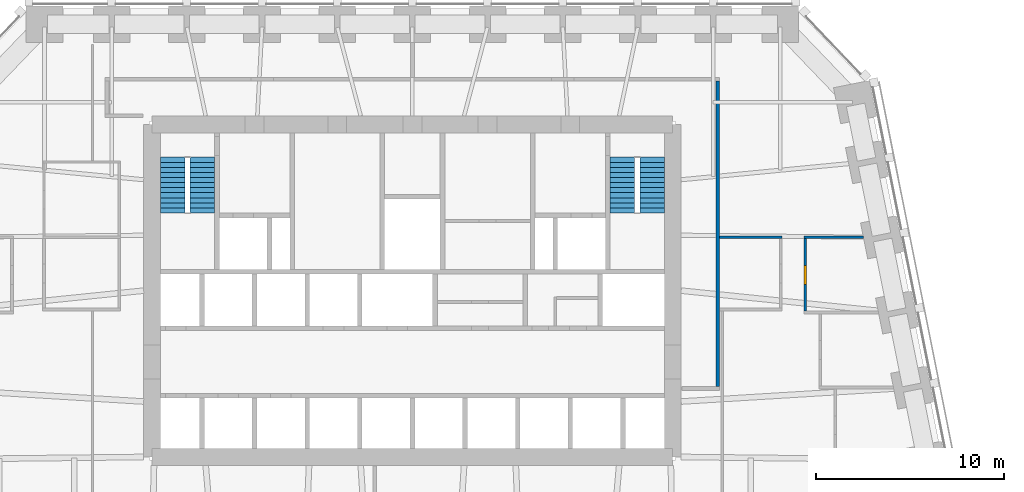
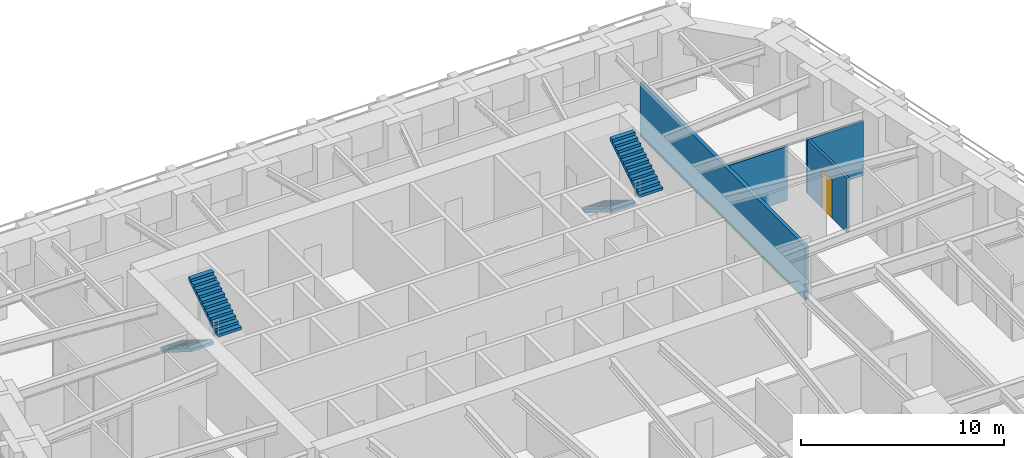
# One storey, part 8 of 10: 4 stair flights, 4 walls, 1 door, 1 opening, 2 elements without a shape of their own.
"""IFC4 building model written with IfcOpenShell, lengths in metres."""

from ifc_helpers import new_model, si_unit, direction, frame, frame_2d, origin, place, context, subcontext, project, spatial, polyline, rectangle, outline, extrude, material, layer, layer_set, type_object, element, fill, aggregate, save


model = new_model("IFC4")

# Units and contexts
model_context = context("Model", 3, precision=1e-05, world=origin(), true_north=direction((0.0, 1.0)))
body_context = subcontext(model_context, "Body", "Model", "MODEL_VIEW")
ifc_project = project(units=[si_unit("LENGTHUNIT", "METRE"), si_unit("AREAUNIT", "SQUARE_METRE"), si_unit("VOLUMEUNIT", "CUBIC_METRE"), si_unit("PLANEANGLEUNIT", "RADIAN"), si_unit("MASSUNIT", "GRAM", prefix="KILO")], contexts=[model_context])

# Site, building, storey
site_placement = place(None, origin())
site = spatial("IfcSite", under=ifc_project, at=site_placement, CompositionType="ELEMENT")
building_placement = place(site_placement, origin())
building = spatial("IfcBuilding", under=site, at=building_placement, Name="Isbrekke Arena Tower", CompositionType="ELEMENT")
storey_placement = place(building_placement, frame((0.0, 0.0, 64.0)))
storey = spatial("IfcBuildingStorey", under=building, at=storey_placement, Name="L13", CompositionType="ELEMENT", Elevation=64.0)

# Walls
ifc_material_1 = material(Name="Gypsum board partition on steel studs", Category="steel")
ifc_layer_1 = layer(ifc_material_1, 0.14990234375)
ifc_layer_set_1 = layer_set([ifc_layer_1], Name="IW1 PARTITION 150")
wall_type_1 = type_object("IfcWallType", Name="IW1 PARTITION 150", PredefinedType="PARTITIONING", material=ifc_layer_set_1)
wall_1_placement = place(storey_placement, frame((16.35009765625, 17.840087890625, 0.0), z_axis=(0.0, 0.0, 1.0), x_axis=(1.0, 0.0, 0.0)))
element("IfcWall", 1, at=wall_1_placement, inside=storey, type_object=wall_type_1, Name="IW1 partition 150 L13", PredefinedType="PARTITIONING", context=body_context, shape_type="SweptSolid", body=[
    extrude(rectangle(XDim=3.324951171875, YDim=0.14990234375, at=frame_2d((1.66259765625, 0.0))), origin(), (0.0, 0.0, 1.0), 3.25),
])
wall_2_placement = place(storey_placement, frame((20.824951171875, 17.840087890625, 0.0), z_axis=(0.0, 0.0, 1.0), x_axis=(1.0, 0.0, 0.0)))
element("IfcWall", 2, at=wall_2_placement, inside=storey, type_object=wall_type_1, Name="IW1 partition 150 L13", PredefinedType="PARTITIONING", context=body_context, shape_type="SweptSolid", body=[
    extrude(rectangle(XDim=3.17138671875, YDim=0.14990234375, at=frame_2d((1.585693359375, 0.0))), origin(), (0.0, 0.0, 1.0), 3.25),
])

# Wall, opening, door
wall_3_placement = place(storey_placement, frame((20.89990234375, 13.9150390625, 0.0), z_axis=(0.0, 0.0, 1.0), x_axis=(0.0, 1.0, 0.0)))
wall_3 = element("IfcWall", 3, at=wall_3_placement, inside=storey, type_object=wall_type_1, Name="IW1 partition 150 L13", PredefinedType="PARTITIONING", context=body_context, shape_type="SweptSolid", body=[
    extrude(rectangle(XDim=3.849853515625, YDim=0.14990234375, at=frame_2d((1.9248046875, 0.0))), origin(), (0.0, 0.0, 1.0), 3.25),
])
opening_placement = place(wall_3_placement, frame((1.425048828125, 0.0, 0.0)))
opening = element("IfcOpeningElement", 4, at=opening_placement, cuts=wall_3, Name="Opening D10", PredefinedType="OPENING", context=body_context, shape_type="SweptSolid", body=[
    extrude(rectangle(XDim=1.0, YDim=2.300048828125, at=frame_2d((0.5, 1.14990234375))), frame((0.0, 0.08984375, 0.0), z_axis=(0.0, -1.0, 0.0), x_axis=(1.0, 0.0, 0.0)), (0.0, 0.0, 1.0), 0.1796875),
])
ifc_material_2 = material(Name="Timber door", Category="wood")
door_type = type_object("IfcDoorType", Name="D10 OFFICE DOOR 1000 x 2300", OperationType="SINGLE_SWING_LEFT", PredefinedType="DOOR", material=ifc_material_2)
door_placement = place(opening_placement, origin())
door = element("IfcDoor", 5, at=door_placement, inside=storey, type_object=door_type, Name="D10 office door L13", OperationType="SINGLE_SWING_LEFT", OverallHeight=2.300048828125, OverallWidth=1.0, PredefinedType="DOOR", context=body_context, shape_type="SweptSolid", body=[
    extrude(rectangle(XDim=1.0, YDim=2.300048828125, at=frame_2d((0.5, 1.14990234375))), frame((0.0, 0.07470703125, 0.0), z_axis=(0.0, -1.0, 0.0), x_axis=(1.0, 0.0, 0.0)), (0.0, 0.0, 1.0), 0.1494140625),
])
fill(opening, door)

# Wall
ifc_material_3 = material(Name="Gypsum board fire-cell wall on steel studs, two layers each side", Category="steel")
ifc_layer_2 = layer(ifc_material_3, 0.199951171875)
ifc_layer_set_2 = layer_set([ifc_layer_2], Name="IW3 FIRE-CELL WALL 200")
wall_type_2 = type_object("IfcWallType", Name="IW3 FIRE-CELL WALL 200", PredefinedType="PARTITIONING", material=ifc_layer_set_2)
wall_4_placement = place(storey_placement, frame((16.25, 9.89990234375, 0.0), z_axis=(0.0, 0.0, 1.0), x_axis=(0.0, 1.0, 0.0)))
element("IfcWall", 6, at=wall_4_placement, inside=storey, type_object=wall_type_2, Name="IW3 fire-cell wall 200 L13", PredefinedType="PARTITIONING", context=body_context, shape_type="SweptSolid", body=[
    extrude(rectangle(XDim=16.25, YDim=0.199951171875, at=frame_2d((8.125, 0.0))), origin(), (0.0, 0.0, 1.0), 3.25),
])

# Stair, stair flights
ifc_material_4 = material(Name="Concrete B45 (C45/55) precast", Category="concrete")
stair_type = type_object("IfcStairType", Name="ST40 STAIR 1300 WIDE, 24 RISERS 167", PredefinedType="HALF_TURN_STAIR", material=ifc_material_4)
stair_1_placement = place(storey_placement, origin())
stair_1 = element("IfcStair", 7, at=stair_1_placement, inside=storey, type_object=stair_type, Name="ST1 stair L13", PredefinedType="HALF_TURN_STAIR")
ifc_material_5 = material(Name="Concrete B45 (C45/55) precast", Category="concrete")
stair_flight_type = type_object("IfcStairFlightType", Name="SF 1300 FLIGHT", PredefinedType="STRAIGHT", material=ifc_material_5)
stair_flight_1_placement = place(storey_placement, frame((-12.75, 22.10009765625, 0.0), z_axis=(0.0, 0.0, 1.0), x_axis=(0.0, -1.0, 0.0)))
stair_flight_1 = element("IfcStairFlight", 8, at=stair_flight_1_placement, type_object=stair_flight_type, Name="ST1 flight 1", NumberOfRisers=12, NumberOfTreads=11, PredefinedType="STRAIGHT", RiserHeight=0.166666667, TreadLength=0.27, context=body_context, shape_type="SweptSolid", body=[
    extrude(outline(polyline([(0.0, 0.0), (0.0, 0.166748046875), (0.27001953125, 0.166748046875), (0.27001953125, 0.333251953125), (0.5400390625, 0.333251953125), (0.5400390625, 0.5), (0.81005859375, 0.5), (0.81005859375, 0.666748046875), (1.080078125, 0.666748046875), (1.080078125, 0.833251953125), (1.35009765625, 0.833251953125), (1.35009765625, 1.0), (1.6201171875, 1.0), (1.6201171875, 1.166748046875), (1.889892578125, 1.166748046875), (1.889892578125, 1.333251953125), (2.159912109375, 1.333251953125), (2.159912109375, 1.5), (2.429931640625, 1.5), (2.429931640625, 1.666748046875), (2.699951171875, 1.666748046875), (2.699951171875, 1.833251953125), (2.969970703125, 1.833251953125), (2.969970703125, 2.0), (2.969970703125, 1.6572265625), (0.285400390625, 0.0), (0.0, 0.0)])), frame((0.0, 0.64990234375, 0.0), z_axis=(0.0, -1.0, 0.0), x_axis=(1.0, 0.0, 0.0)), (0.0, 0.0, 1.0), 1.300048828125),
])
stair_flight_2_placement = place(storey_placement, frame((-11.175048828125, 19.1298828125, 2.0), z_axis=(0.0, 0.0, 1.0), x_axis=(0.0, 1.0, 0.0)))
stair_flight_2 = element("IfcStairFlight", 9, at=stair_flight_2_placement, type_object=stair_flight_type, Name="ST1 flight 2", NumberOfRisers=12, NumberOfTreads=11, PredefinedType="STRAIGHT", RiserHeight=0.166666667, TreadLength=0.27, context=body_context, shape_type="SweptSolid", body=[
    extrude(outline(polyline([(0.0, 0.0), (0.0, 0.166748046875), (0.27001953125, 0.166748046875), (0.27001953125, 0.333251953125), (0.5400390625, 0.333251953125), (0.5400390625, 0.5), (0.81005859375, 0.5), (0.81005859375, 0.666748046875), (1.080078125, 0.666748046875), (1.080078125, 0.833251953125), (1.35009765625, 0.833251953125), (1.35009765625, 1.0), (1.6201171875, 1.0), (1.6201171875, 1.166748046875), (1.889892578125, 1.166748046875), (1.889892578125, 1.333251953125), (2.159912109375, 1.333251953125), (2.159912109375, 1.5), (2.429931640625, 1.5), (2.429931640625, 1.666748046875), (2.699951171875, 1.666748046875), (2.699951171875, 1.833251953125), (2.969970703125, 1.833251953125), (2.969970703125, 2.0), (2.969970703125, 1.6572265625), (0.285400390625, 0.0), (0.0, 0.0)])), frame((0.0, 0.64990234375, 0.0), z_axis=(0.0, -1.0, 0.0), x_axis=(1.0, 0.0, 0.0)), (0.0, 0.0, 1.0), 1.300048828125),
])
aggregate(stair_1, [stair_flight_1, stair_flight_2])

stair_2_placement = place(storey_placement, origin())
stair_2 = element("IfcStair", 10, at=stair_2_placement, inside=storey, type_object=stair_type, Name="ST2 stair L13", PredefinedType="HALF_TURN_STAIR")
stair_flight_3_placement = place(storey_placement, frame((11.175048828125, 22.10009765625, 0.0), z_axis=(0.0, 0.0, 1.0), x_axis=(0.0, -1.0, 0.0)))
stair_flight_3 = element("IfcStairFlight", 11, at=stair_flight_3_placement, type_object=stair_flight_type, Name="ST2 flight 1", NumberOfRisers=12, NumberOfTreads=11, PredefinedType="STRAIGHT", RiserHeight=0.166666667, TreadLength=0.27, context=body_context, shape_type="SweptSolid", body=[
    extrude(outline(polyline([(0.0, 0.0), (0.0, 0.166748046875), (0.27001953125, 0.166748046875), (0.27001953125, 0.333251953125), (0.5400390625, 0.333251953125), (0.5400390625, 0.5), (0.81005859375, 0.5), (0.81005859375, 0.666748046875), (1.080078125, 0.666748046875), (1.080078125, 0.833251953125), (1.35009765625, 0.833251953125), (1.35009765625, 1.0), (1.6201171875, 1.0), (1.6201171875, 1.166748046875), (1.889892578125, 1.166748046875), (1.889892578125, 1.333251953125), (2.159912109375, 1.333251953125), (2.159912109375, 1.5), (2.429931640625, 1.5), (2.429931640625, 1.666748046875), (2.699951171875, 1.666748046875), (2.699951171875, 1.833251953125), (2.969970703125, 1.833251953125), (2.969970703125, 2.0), (2.969970703125, 1.6572265625), (0.285400390625, 0.0), (0.0, 0.0)])), frame((0.0, 0.64990234375, 0.0), z_axis=(0.0, -1.0, 0.0), x_axis=(1.0, 0.0, 0.0)), (0.0, 0.0, 1.0), 1.300048828125),
])
stair_flight_4_placement = place(storey_placement, frame((12.75, 19.1298828125, 2.0), z_axis=(0.0, 0.0, 1.0), x_axis=(0.0, 1.0, 0.0)))
stair_flight_4 = element("IfcStairFlight", 12, at=stair_flight_4_placement, type_object=stair_flight_type, Name="ST2 flight 2", NumberOfRisers=12, NumberOfTreads=11, PredefinedType="STRAIGHT", RiserHeight=0.166666667, TreadLength=0.27, context=body_context, shape_type="SweptSolid", body=[
    extrude(outline(polyline([(0.0, 0.0), (0.0, 0.166748046875), (0.27001953125, 0.166748046875), (0.27001953125, 0.333251953125), (0.5400390625, 0.333251953125), (0.5400390625, 0.5), (0.81005859375, 0.5), (0.81005859375, 0.666748046875), (1.080078125, 0.666748046875), (1.080078125, 0.833251953125), (1.35009765625, 0.833251953125), (1.35009765625, 1.0), (1.6201171875, 1.0), (1.6201171875, 1.166748046875), (1.889892578125, 1.166748046875), (1.889892578125, 1.333251953125), (2.159912109375, 1.333251953125), (2.159912109375, 1.5), (2.429931640625, 1.5), (2.429931640625, 1.666748046875), (2.699951171875, 1.666748046875), (2.699951171875, 1.833251953125), (2.969970703125, 1.833251953125), (2.969970703125, 2.0), (2.969970703125, 1.6572265625), (0.285400390625, 0.0), (0.0, 0.0)])), frame((0.0, 0.64990234375, 0.0), z_axis=(0.0, -1.0, 0.0), x_axis=(1.0, 0.0, 0.0)), (0.0, 0.0, 1.0), 1.300048828125),
])
aggregate(stair_2, [stair_flight_3, stair_flight_4])

save(model, "model.ifc")
